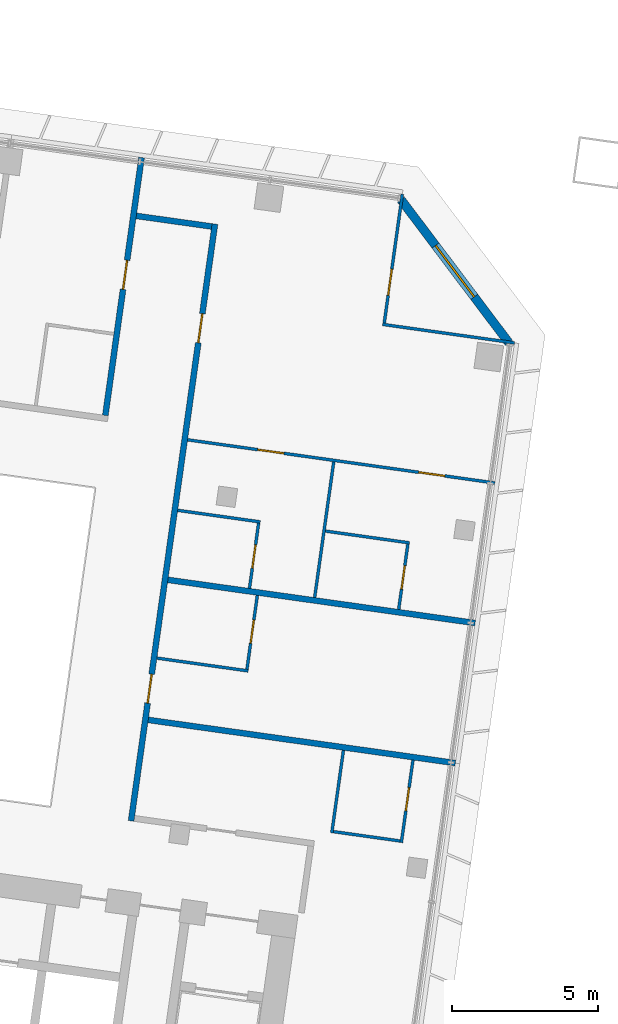
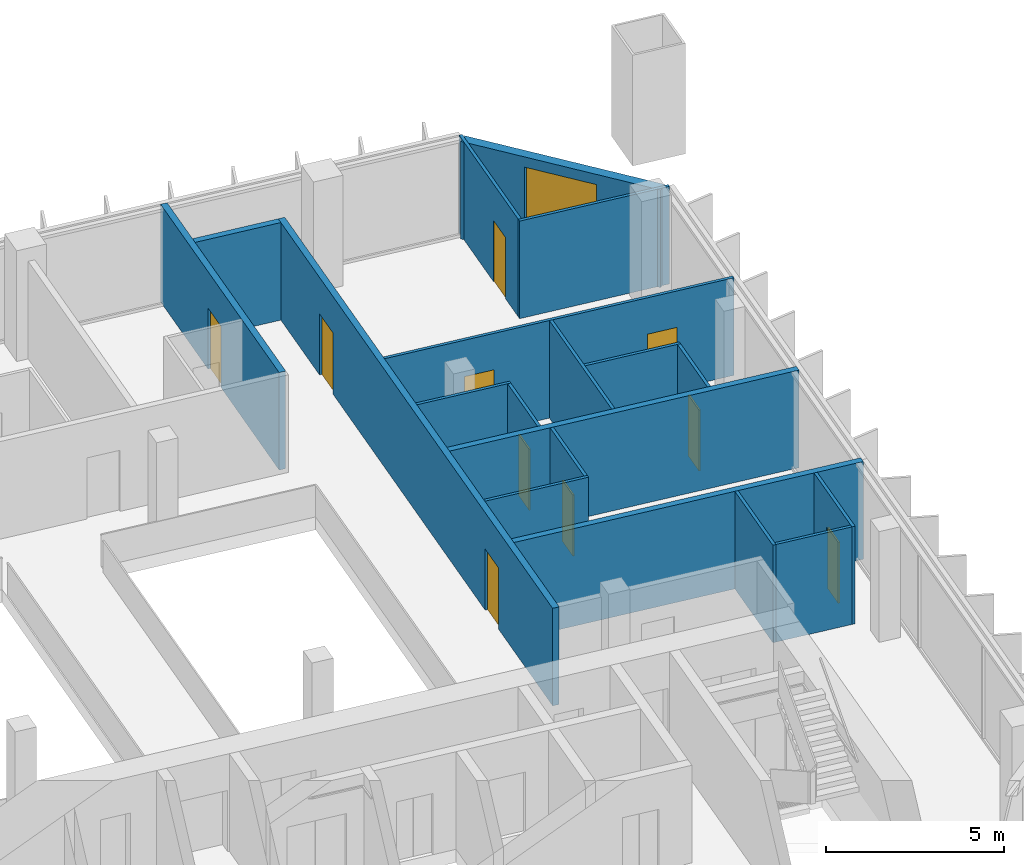
# One storey, part 19 of 26: 19 walls, 10 doors, 1 window, 11 openings.
"""IFC4 building model written with IfcOpenShell, lengths in metres."""

import ifcopenshell
import ifcopenshell.guid

model = None  # the IFC model being written
_history = None  # IfcOwnerHistory: only IFC2X3 demands one
_inside = {}  # id of a spatial element -> (the spatial element, [elements in it])
_under = {}  # id of a project, library or spatial element -> (it, [spatial elements below it])
_declared = {}  # id of a project -> (the project, [libraries it declares])
_typed = {}  # id of a type object -> (the type object, [elements of that type])
_made_of = {}  # id of a material, layer set ... -> (it, [elements and type objects made of it])


def new_model(schema):
    """Start an empty IFC model of exactly this schema.

    Asked for "IFC4X3", IfcOpenShell would pick the latest addendum, in which some entities
    have other attributes; the version numbers below select the first issue.
    IFC2X3 requires an IfcOwnerHistory on every rooted entity: one is made here for all.
    """
    global model, _history
    if schema == "IFC4X3":
        model = ifcopenshell.file(schema_version=(4, 3, 0, 0))
    else:
        model = ifcopenshell.file(schema=schema)
    _inside.clear()
    _under.clear()
    _declared.clear()
    _typed.clear()
    _made_of.clear()
    _history = None
    if model.schema == "IFC2X3":
        org = make("IfcOrganization", Name="unknown")
        user = make(
            "IfcPersonAndOrganization",
            ThePerson=make("IfcPerson", FamilyName="unknown"),
            TheOrganization=org,
        )
        app = make(
            "IfcApplication",
            ApplicationDeveloper=org,
            Version="unknown",
            ApplicationFullName="unknown",
            ApplicationIdentifier="unknown",
        )
        _history = make(
            "IfcOwnerHistory",
            OwningUser=user,
            OwningApplication=app,
            ChangeAction="ADDED",
            CreationDate=0,
        )
    return model


def make(cls, **values):
    """One entity of the class cls with the attributes given. An attribute that is None is left unset."""
    return model.create_entity(
        cls, **{name: value for name, value in values.items() if value is not None}
    )


def rooted(cls, **values):
    """An entity with a GlobalId (a new one), such as an element, a storey or a relation."""
    return make(cls, GlobalId=ifcopenshell.guid.new(), OwnerHistory=_history, **values)


def si_unit(unit_type, name, prefix=None):
    """IfcSIUnit, for example si_unit("LENGTHUNIT", "METRE", prefix="MILLI")."""
    return make("IfcSIUnit", UnitType=unit_type, Prefix=prefix, Name=name)


def assignment(units):
    """IfcUnitAssignment: the units of a project."""
    return None if units is None else make("IfcUnitAssignment", Units=units)


def point(xyz):
    """IfcCartesianPoint."""
    return None if xyz is None else make("IfcCartesianPoint", Coordinates=xyz)


def direction(xyz):
    """IfcDirection."""
    return None if xyz is None else make("IfcDirection", DirectionRatios=xyz)


def frame(location, z_axis=None, x_axis=None):
    """IfcAxis2Placement3D, a coordinate frame: its origin and axes. An axis left out is left unset."""
    return make(
        "IfcAxis2Placement3D",
        Location=point(location),
        Axis=direction(z_axis),
        RefDirection=direction(x_axis),
    )


def frame_2d(location, x_axis=None):
    """IfcAxis2Placement2D, a coordinate frame in the plane: its origin and x axis."""
    return make(
        "IfcAxis2Placement2D", Location=point(location), RefDirection=direction(x_axis)
    )


def origin():
    """The frame at (0, 0, 0) with its axes left unset."""
    return frame((0.0, 0.0, 0.0))


def place(relative_to, where):
    """IfcLocalPlacement: puts the frame where relative to a parent placement (None: the world)."""
    return make(
        "IfcLocalPlacement", PlacementRelTo=relative_to, RelativePlacement=where
    )


def context(
    kind, dimensions, precision=None, world=None, true_north=None, identifier=None
):
    """IfcGeometricRepresentationContext, for example the 3D "Model" context."""
    return make(
        "IfcGeometricRepresentationContext",
        ContextIdentifier=identifier,
        ContextType=kind,
        CoordinateSpaceDimension=dimensions,
        Precision=precision,
        WorldCoordinateSystem=world,
        TrueNorth=true_north,
    )


def subcontext(parent, identifier, kind, view, scale=None):
    """IfcGeometricRepresentationSubContext, for example "Body" below "Model"."""
    return make(
        "IfcGeometricRepresentationSubContext",
        ContextIdentifier=identifier,
        ContextType=kind,
        ParentContext=parent,
        TargetScale=scale,
        TargetView=view,
    )


def project(units=None, contexts=None):
    """IfcProject with its units and contexts."""
    return rooted(
        "IfcProject",
        Name="project",
        RepresentationContexts=contexts,
        UnitsInContext=assignment(units),
    )


def spatial(cls, under=None, at=None, **own):
    """A site, building, storey or space (cls), placed at a placement, below another one or the project."""
    s = rooted(cls, ObjectPlacement=at, **own)
    if under is not None:
        _under.setdefault(under.id(), (under, []))[1].append(s)
    return s


def profile(cls, at=None, kind="AREA", **sizes):
    """A parametric profile (cls). Its sizes go by their IFC names, for example OverallWidth=200.0."""
    return make(cls, ProfileType=kind, Position=at, **sizes)


def rectangle(**sizes):
    """IfcRectangleProfileDef."""
    return profile("IfcRectangleProfileDef", **sizes)


def extrude(swept, where, along, depth):
    """IfcExtrudedAreaSolid: the profile swept, set in the frame where, extruded along a direction by depth."""
    return make(
        "IfcExtrudedAreaSolid",
        SweptArea=swept,
        Position=where,
        ExtrudedDirection=direction(along),
        Depth=depth,
    )


def shape(context_of_items, identifier, shape_type, items):
    """IfcShapeRepresentation: the items that make up one representation, for example the "Body"."""
    return make(
        "IfcShapeRepresentation",
        ContextOfItems=context_of_items,
        RepresentationIdentifier=identifier,
        RepresentationType=shape_type,
        Items=items,
    )


def material(Name=None, Category=None):
    """IfcMaterial."""
    return make("IfcMaterial", Name=Name, Category=Category)


def layer(
    of_material, thickness, ventilated=None, Name=None, Category=None, Priority=None
):
    """IfcMaterialLayer: one layer of a wall or slab, of a material (None: an air gap)."""
    return make(
        "IfcMaterialLayer",
        Material=of_material,
        LayerThickness=thickness,
        IsVentilated=ventilated,
        Name=Name,
        Category=Category,
        Priority=Priority,
    )


def layer_set(layers, Name=None):
    """IfcMaterialLayerSet."""
    return make("IfcMaterialLayerSet", MaterialLayers=layers, LayerSetName=Name)


def made_of(thing, what):
    """Note that an element or type object is made of a material, layer set ...; save() writes the relation."""
    if what is not None:
        _made_of.setdefault(what.id(), (what, []))[1].append(thing)
    return thing


def type_object(cls, material=None, **own):
    """A type object (cls), such as IfcWallType, which elements share."""
    return made_of(rooted(cls, **own), material)


def element(
    cls,
    number,
    at=None,
    inside=None,
    cuts=None,
    type_object=None,
    material=None,
    context=None,
    identifier="Body",
    shape_type=None,
    held_by="IfcProductDefinitionShape",
    body=None,
    shapes=None,
    **own,
):
    """One element of the class cls, such as IfcWall. Its Tag is "e" and its number.

    at: its placement. inside: the storey or other place that contains it. cuts: it is an
    opening in that element (IfcRelVoidsElement). A single representation is given by context,
    identifier, shape_type and body (its items); several are given by shapes. held_by: the class
    of the entity that holds the representations. save() writes the other relations.
    """
    e = rooted(cls, Tag="e%d" % number, ObjectPlacement=at, **own)
    if body is not None:
        shapes = [shape(context, identifier, shape_type, body)]
    if shapes is not None:
        e.Representation = make(held_by, Representations=shapes)
    if inside is not None:
        _inside.setdefault(inside.id(), (inside, []))[1].append(e)
    if cuts is not None:
        rooted(
            "IfcRelVoidsElement", RelatingBuildingElement=cuts, RelatedOpeningElement=e
        )
    if type_object is not None:
        _typed.setdefault(type_object.id(), (type_object, []))[1].append(e)
    return made_of(e, material)


def fill(opening, filler):
    """IfcRelFillsElement: the door or window that sits in an opening."""
    return rooted(
        "IfcRelFillsElement",
        RelatingOpeningElement=opening,
        RelatedBuildingElement=filler,
    )


def aggregate(whole, parts):
    """IfcRelAggregates: a whole, such as a stair, and the parts it consists of."""
    return rooted("IfcRelAggregates", RelatingObject=whole, RelatedObjects=parts)


def save(model, path):
    """Write the relations noted so far, then the file.

    IfcRelAggregates (storeys below a building ...), IfcRelContainedInSpatialStructure (elements
    in a storey), IfcRelDefinesByType, IfcRelAssociatesMaterial and IfcRelDeclares: one each for
    every whole, place, type object, material and project.
    """
    for whole, parts in _under.values():
        aggregate(whole, parts)
    for where, things in _inside.values():
        rooted(
            "IfcRelContainedInSpatialStructure",
            RelatedElements=things,
            RelatingStructure=where,
        )
    for kind, things in _typed.values():
        rooted("IfcRelDefinesByType", RelatedObjects=things, RelatingType=kind)
    for what, things in _made_of.values():
        rooted("IfcRelAssociatesMaterial", RelatedObjects=things, RelatingMaterial=what)
    for by, libraries in _declared.values():
        rooted("IfcRelDeclares", RelatingContext=by, RelatedDefinitions=libraries)
    model.write(path)


model = new_model("IFC4")

# Units and contexts
model_context = context("Model", 3, precision=1e-05, world=origin(), true_north=direction((0.0, 1.0)))
body_context = subcontext(model_context, "Body", "Model", "MODEL_VIEW")
ifc_project = project(units=[si_unit("LENGTHUNIT", "METRE"), si_unit("AREAUNIT", "SQUARE_METRE"), si_unit("VOLUMEUNIT", "CUBIC_METRE"), si_unit("PLANEANGLEUNIT", "RADIAN"), si_unit("MASSUNIT", "GRAM", prefix="KILO")], contexts=[model_context])

# Site, building, storey
site_placement = place(None, origin())
site = spatial("IfcSite", under=ifc_project, at=site_placement, CompositionType="ELEMENT")
building_placement = place(site_placement, origin())
building = spatial("IfcBuilding", under=site, at=building_placement, Name="Mirante Cascada Hotel Towers", CompositionType="ELEMENT")
storey_placement = place(building_placement, frame((0.0, 0.0, 98.7)))
storey = spatial("IfcBuildingStorey", under=building, at=storey_placement, Name="L21", CompositionType="ELEMENT", Elevation=98.7)

# Walls
ifc_material_1 = material(Name="Fire-rated plasterboard on metal studs")
ifc_layer_1 = layer(ifc_material_1, 0.2)
ifc_layer_set_1 = layer_set([ifc_layer_1], Name="Compartment wall 200 EI 120")
wall_type_1 = type_object("IfcWallType", Name="Compartment wall 200 EI 120", PredefinedType="PARTITIONING", material=ifc_layer_set_1)
wall_1_placement = place(storey_placement, frame((-30.0, -2.0, 0.0), z_axis=(0.0, 0.0, 1.0), x_axis=(-0.9902684, 0.1391704, 0.0)))
element("IfcWall", 1, at=wall_1_placement, inside=storey, type_object=wall_type_1, Name="Wall 1-L21-04", PredefinedType="PARTITIONING", context=body_context, shape_type="SweptSolid", body=[
    extrude(rectangle(XDim=10.6, YDim=0.2, at=frame_2d((5.3, 0.0))), origin(), (0.0, 0.0, 1.0), 3.35),
])
wall_2_placement = place(storey_placement, frame((-29.3273, 2.7863, 0.0), z_axis=(0.0, 0.0, 1.0), x_axis=(-0.9902686, 0.1391691, 0.0)))
element("IfcWall", 2, at=wall_2_placement, inside=storey, type_object=wall_type_1, Name="Wall 1-L21-06", PredefinedType="PARTITIONING", context=body_context, shape_type="SweptSolid", body=[
    extrude(rectangle(XDim=10.6001, YDim=0.2, at=frame_2d((5.3, 0.0))), origin(), (0.0, 0.0, 1.0), 3.35),
])
wall_3_placement = place(storey_placement, frame((-40.9036, 16.6995, 0.0), z_axis=(0.0, 0.0, 1.0), x_axis=(0.9902647, -0.1391971, 0.0)))
element("IfcWall", 3, at=wall_3_placement, inside=storey, type_object=wall_type_1, Name="Wall 1-L21-19", PredefinedType="PARTITIONING", context=body_context, shape_type="SweptSolid", body=[
    extrude(rectangle(XDim=2.5999, YDim=0.2, at=frame_2d((1.3, 0.0))), origin(), (0.0, 0.0, 1.0), 3.35),
])

# Wall, openings, doors
wall_4_placement = place(storey_placement, frame((-41.083, -3.9768, 0.0), z_axis=(0.0, 0.0, 1.0), x_axis=(0.1391749, 0.9902678, 0.0)))
wall_4 = element("IfcWall", 4, at=wall_4_placement, inside=storey, type_object=wall_type_1, Name="Wall 1-L21-28", PredefinedType="PARTITIONING", context=body_context, shape_type="SweptSolid", body=[
    extrude(rectangle(XDim=20.6, YDim=0.2, at=frame_2d((10.3, 0.0))), origin(), (0.0, 0.0, 1.0), 3.35),
])
opening_1_placement = place(wall_4_placement, frame((4.0667, 0.0, 0.0)))
opening_1 = element("IfcOpeningElement", 5, at=opening_1_placement, cuts=wall_4, Name="Opening D1-L21-26", PredefinedType="OPENING", context=body_context, shape_type="SweptSolid", body=[
    extrude(rectangle(XDim=1.0, YDim=2.1, at=frame_2d((0.5, 1.05))), frame((0.0, 0.1, 0.0), z_axis=(0.0, -1.0, 0.0), x_axis=(1.0, 0.0, 0.0)), (0.0, 0.0, 1.0), 0.2),
])
opening_2_placement = place(wall_4_placement, frame((16.5, 0.0, 0.0)))
opening_2 = element("IfcOpeningElement", 6, at=opening_2_placement, cuts=wall_4, Name="Opening D1-L21-27", PredefinedType="OPENING", context=body_context, shape_type="SweptSolid", body=[
    extrude(rectangle(XDim=1.0, YDim=2.1, at=frame_2d((0.5, 1.05))), frame((0.0, 0.1, 0.0), z_axis=(0.0, -1.0, 0.0), x_axis=(1.0, 0.0, 0.0)), (0.0, 0.0, 1.0), 0.2),
])
ifc_material_2 = material(Name="Fire-rated timber door leaf", Category="wood")
door_type_1 = type_object("IfcDoorType", Name="Entrance door DG1 1000x2100 EI 60", OperationType="SINGLE_SWING_LEFT", PredefinedType="DOOR", material=ifc_material_2)
door_1_placement = place(opening_1_placement, frame((1.0, 0.0, 0.0), z_axis=(0.0, 0.0, 1.0), x_axis=(-1.0, 0.0, 0.0)))
door_1 = element("IfcDoor", 7, at=door_1_placement, inside=storey, type_object=door_type_1, Name="Door D1-L21-26", OperationType="SINGLE_SWING_RIGHT", OverallHeight=2.1, OverallWidth=1.0, PredefinedType="DOOR", context=body_context, shape_type="SweptSolid", body=[
    extrude(rectangle(XDim=1.0, YDim=2.1, at=frame_2d((0.5, 1.05))), frame((0.0, 0.025, 0.0), z_axis=(0.0, -1.0, 0.0), x_axis=(1.0, 0.0, 0.0)), (0.0, 0.0, 1.0), 0.05),
])
fill(opening_1, door_1)
door_2_placement = place(opening_2_placement, frame((1.0, 0.0, 0.0), z_axis=(0.0, 0.0, 1.0), x_axis=(-1.0, 0.0, 0.0)))
door_2 = element("IfcDoor", 8, at=door_2_placement, inside=storey, type_object=door_type_1, Name="Door D1-L21-27", OperationType="SINGLE_SWING_RIGHT", OverallHeight=2.1, OverallWidth=1.0, PredefinedType="DOOR", context=body_context, shape_type="SweptSolid", body=[
    extrude(rectangle(XDim=1.0, YDim=2.1, at=frame_2d((0.5, 1.05))), frame((0.0, 0.025, 0.0), z_axis=(0.0, -1.0, 0.0), x_axis=(1.0, 0.0, 0.0)), (0.0, 0.0, 1.0), 0.05),
])
fill(opening_2, door_2)

# Wall, opening, door
wall_5_placement = place(storey_placement, frame((-40.7243, 18.6939, 0.0), z_axis=(0.0, 0.0, 1.0), x_axis=(-0.1391794, -0.9902672, 0.0)))
wall_5 = element("IfcWall", 9, at=wall_5_placement, inside=storey, type_object=wall_type_1, Name="Wall 1-L21-29", PredefinedType="PARTITIONING", context=body_context, shape_type="SweptSolid", body=[
    extrude(rectangle(XDim=8.9, YDim=0.2, at=frame_2d((4.45, 0.0))), origin(), (0.0, 0.0, 1.0), 3.35),
])
opening_3_placement = place(wall_5_placement, frame((3.55, 0.0, 0.0)))
opening_3 = element("IfcOpeningElement", 10, at=opening_3_placement, cuts=wall_5, Name="Opening D1-L21-28", PredefinedType="OPENING", context=body_context, shape_type="SweptSolid", body=[
    extrude(rectangle(XDim=1.0, YDim=2.1, at=frame_2d((0.5, 1.05))), frame((0.0, 0.1, 0.0), z_axis=(0.0, -1.0, 0.0), x_axis=(1.0, 0.0, 0.0)), (0.0, 0.0, 1.0), 0.2),
])
door_3_placement = place(opening_3_placement, frame((1.0, 0.0, 0.0), z_axis=(0.0, 0.0, 1.0), x_axis=(-1.0, 0.0, 0.0)))
door_3 = element("IfcDoor", 11, at=door_3_placement, inside=storey, type_object=door_type_1, Name="Door D1-L21-28", OperationType="SINGLE_SWING_RIGHT", OverallHeight=2.1, OverallWidth=1.0, PredefinedType="DOOR", context=body_context, shape_type="SweptSolid", body=[
    extrude(rectangle(XDim=1.0, YDim=2.1, at=frame_2d((0.5, 1.05))), frame((0.0, 0.025, 0.0), z_axis=(0.0, -1.0, 0.0), x_axis=(1.0, 0.0, 0.0)), (0.0, 0.0, 1.0), 0.05),
])
fill(opening_3, door_3)

# Walls
ifc_material_3 = material(Name="Plasterboard on metal studs")
ifc_layer_2 = layer(ifc_material_3, 0.1)
ifc_layer_set_2 = layer_set([ifc_layer_2], Name="Partition 100")
wall_type_2 = type_object("IfcWallType", Name="Partition 100", PredefinedType="PARTITIONING", material=ifc_layer_set_2)
wall_6_placement = place(storey_placement, frame((-34.1666, -4.3429, 0.0), z_axis=(0.0, 0.0, 1.0), x_axis=(0.9902678, -0.1391749, 0.0)))
element("IfcWall", 12, at=wall_6_placement, inside=storey, type_object=wall_type_2, Name="Wall 1-L21-03", PredefinedType="PARTITIONING", context=body_context, shape_type="SweptSolid", body=[
    extrude(rectangle(XDim=2.3, YDim=0.1, at=frame_2d((1.15, 0.0))), origin(), (0.0, 0.0, 1.0), 3.35),
])
wall_7_placement = place(storey_placement, frame((-40.1999, 1.5878, 0.0), z_axis=(0.0, 0.0, 1.0), x_axis=(0.9902676, -0.1391765, 0.0)))
element("IfcWall", 13, at=wall_7_placement, inside=storey, type_object=wall_type_2, Name="Wall 1-L21-05", PredefinedType="PARTITIONING", context=body_context, shape_type="SweptSolid", body=[
    extrude(rectangle(XDim=3.15, YDim=0.1, at=frame_2d((1.575, 0.0))), origin(), (0.0, 0.0, 1.0), 3.35),
])
wall_8_placement = place(storey_placement, frame((-34.4398, 5.9284, 0.0), z_axis=(0.0, 0.0, 1.0), x_axis=(0.9902683, -0.1391714, 0.0)))
element("IfcWall", 14, at=wall_8_placement, inside=storey, type_object=wall_type_2, Name="Wall 1-L21-07", PredefinedType="PARTITIONING", context=body_context, shape_type="SweptSolid", body=[
    extrude(rectangle(XDim=2.9, YDim=0.1, at=frame_2d((1.45, 0.0))), origin(), (0.0, 0.0, 1.0), 3.35),
])
wall_9_placement = place(storey_placement, frame((-36.6679, 6.2415, 0.0), z_axis=(0.0, 0.0, 1.0), x_axis=(-0.9902704, 0.1391564, 0.0)))
element("IfcWall", 15, at=wall_9_placement, inside=storey, type_object=wall_type_2, Name="Wall 1-L21-08", PredefinedType="PARTITIONING", context=body_context, shape_type="SweptSolid", body=[
    extrude(rectangle(XDim=2.85, YDim=0.1, at=frame_2d((1.425, 0.0))), origin(), (0.0, 0.0, 1.0), 3.35),
])

# Wall, openings, doors
wall_10_placement = place(storey_placement, frame((-39.1515, 9.0479, 0.0), z_axis=(0.0, 0.0, 1.0), x_axis=(0.9902671, -0.1391797, 0.0)))
wall_10 = element("IfcWall", 16, at=wall_10_placement, inside=storey, type_object=wall_type_2, Name="Wall 1-L21-09", PredefinedType="PARTITIONING", context=body_context, shape_type="SweptSolid", body=[
    extrude(rectangle(XDim=10.6, YDim=0.1, at=frame_2d((5.3, 0.0))), origin(), (0.0, 0.0, 1.0), 3.35),
])
opening_4_placement = place(wall_10_placement, frame((7.975, 0.0, 0.0)))
opening_4 = element("IfcOpeningElement", 17, at=opening_4_placement, cuts=wall_10, Name="Opening D1-L21-03", PredefinedType="OPENING", context=body_context, shape_type="SweptSolid", body=[
    extrude(rectangle(XDim=0.9, YDim=2.1, at=frame_2d((0.45, 1.05))), frame((0.0, 0.05, 0.0), z_axis=(0.0, -1.0, 0.0), x_axis=(1.0, 0.0, 0.0)), (0.0, 0.0, 1.0), 0.1),
])
opening_5_placement = place(wall_10_placement, frame((2.425, 0.0, 0.0)))
opening_5 = element("IfcOpeningElement", 18, at=opening_5_placement, cuts=wall_10, Name="Opening D1-L21-04", PredefinedType="OPENING", context=body_context, shape_type="SweptSolid", body=[
    extrude(rectangle(XDim=0.9, YDim=2.1, at=frame_2d((0.45, 1.05))), frame((0.0, 0.05, 0.0), z_axis=(0.0, -1.0, 0.0), x_axis=(1.0, 0.0, 0.0)), (0.0, 0.0, 1.0), 0.1),
])
ifc_material_4 = material(Name="Timber door leaf", Category="wood")
door_type_2 = type_object("IfcDoorType", Name="Room door DG3 900x2100", OperationType="SINGLE_SWING_LEFT", PredefinedType="DOOR", material=ifc_material_4)
door_4_placement = place(opening_4_placement, origin())
door_4 = element("IfcDoor", 19, at=door_4_placement, inside=storey, type_object=door_type_2, Name="Door D1-L21-03", OperationType="SINGLE_SWING_LEFT", OverallHeight=2.1, OverallWidth=0.9, PredefinedType="DOOR", context=body_context, shape_type="SweptSolid", body=[
    extrude(rectangle(XDim=0.9, YDim=2.1, at=frame_2d((0.45, 1.05))), frame((0.0, 0.025, 0.0), z_axis=(0.0, -1.0, 0.0), x_axis=(1.0, 0.0, 0.0)), (0.0, 0.0, 1.0), 0.05),
])
fill(opening_4, door_4)
door_5_placement = place(opening_5_placement, origin())
door_5 = element("IfcDoor", 20, at=door_5_placement, inside=storey, type_object=door_type_2, Name="Door D1-L21-04", OperationType="SINGLE_SWING_LEFT", OverallHeight=2.1, OverallWidth=0.9, PredefinedType="DOOR", context=body_context, shape_type="SweptSolid", body=[
    extrude(rectangle(XDim=0.9, YDim=2.1, at=frame_2d((0.45, 1.05))), frame((0.0, 0.025, 0.0), z_axis=(0.0, -1.0, 0.0), x_axis=(1.0, 0.0, 0.0)), (0.0, 0.0, 1.0), 0.05),
])
fill(opening_5, door_5)

# Wall
wall_11_placement = place(storey_placement, frame((-27.982, 12.3589, 0.0), z_axis=(0.0, 0.0, 1.0), x_axis=(-0.9902691, 0.1391656, 0.0)))
element("IfcWall", 21, at=wall_11_placement, inside=storey, type_object=wall_type_2, Name="Wall 1-L21-18", PredefinedType="PARTITIONING", context=body_context, shape_type="SweptSolid", body=[
    extrude(rectangle(XDim=4.55, YDim=0.1, at=frame_2d((2.275, 0.0))), origin(), (0.0, 0.0, 1.0), 3.35),
])

# Wall, opening, door
wall_12_placement = place(storey_placement, frame((-31.8464, -4.7195, 0.0), z_axis=(0.0, 0.0, 1.0), x_axis=(0.1391564, 0.9902704, 0.0)))
wall_12 = element("IfcWall", 22, at=wall_12_placement, inside=storey, type_object=wall_type_2, Name="Wall 1-L21-20", PredefinedType="PARTITIONING", context=body_context, shape_type="SweptSolid", body=[
    extrude(rectangle(XDim=2.85, YDim=0.1, at=frame_2d((1.425, 0.0))), origin(), (0.0, 0.0, 1.0), 3.35),
])
opening_6_placement = place(wall_12_placement, frame((1.1, 0.0, 0.0)))
opening_6 = element("IfcOpeningElement", 23, at=opening_6_placement, cuts=wall_12, Name="Opening D1-L21-21", PredefinedType="OPENING", context=body_context, shape_type="SweptSolid", body=[
    extrude(rectangle(XDim=0.8, YDim=2.1, at=frame_2d((0.4, 1.05))), frame((0.0, 0.05, 0.0), z_axis=(0.0, -1.0, 0.0), x_axis=(1.0, 0.0, 0.0)), (0.0, 0.0, 1.0), 0.1),
])
ifc_material_5 = material(Name="Timber door leaf", Category="wood")
door_type_3 = type_object("IfcDoorType", Name="Bathroom door DG4 800x2100", OperationType="SINGLE_SWING_LEFT", PredefinedType="DOOR", material=ifc_material_5)
door_6_placement = place(opening_6_placement, origin())
door_6 = element("IfcDoor", 24, at=door_6_placement, inside=storey, type_object=door_type_3, Name="Door D1-L21-21", OperationType="SINGLE_SWING_LEFT", OverallHeight=2.1, OverallWidth=0.8, PredefinedType="DOOR", context=body_context, shape_type="SweptSolid", body=[
    extrude(rectangle(XDim=0.8, YDim=2.1, at=frame_2d((0.4, 1.05))), frame((0.0, 0.025, 0.0), z_axis=(0.0, -1.0, 0.0), x_axis=(1.0, 0.0, 0.0)), (0.0, 0.0, 1.0), 0.05),
])
fill(opening_6, door_6)

wall_13_placement = place(storey_placement, frame((-31.6245, 5.4822, 0.0), z_axis=(0.0, 0.0, 1.0), x_axis=(-0.1391561, -0.9902705, 0.0)))
wall_13 = element("IfcWall", 25, at=wall_13_placement, inside=storey, type_object=wall_type_2, Name="Wall 1-L21-21", PredefinedType="PARTITIONING", context=body_context, shape_type="SweptSolid", body=[
    extrude(rectangle(XDim=2.25, YDim=0.1, at=frame_2d((1.125, 0.0))), origin(), (0.0, 0.0, 1.0), 3.35),
])
opening_7_placement = place(wall_13_placement, frame((0.75, 0.0, 0.0)))
opening_7 = element("IfcOpeningElement", 26, at=opening_7_placement, cuts=wall_13, Name="Opening D1-L21-22", PredefinedType="OPENING", context=body_context, shape_type="SweptSolid", body=[
    extrude(rectangle(XDim=0.8, YDim=2.1, at=frame_2d((0.4, 1.05))), frame((0.0, 0.05, 0.0), z_axis=(0.0, -1.0, 0.0), x_axis=(1.0, 0.0, 0.0)), (0.0, 0.0, 1.0), 0.1),
])
door_7_placement = place(opening_7_placement, frame((0.8, 0.0, 0.0), z_axis=(0.0, 0.0, 1.0), x_axis=(-1.0, 0.0, 0.0)))
door_7 = element("IfcDoor", 27, at=door_7_placement, inside=storey, type_object=door_type_3, Name="Door D1-L21-22", OperationType="SINGLE_SWING_RIGHT", OverallHeight=2.1, OverallWidth=0.8, PredefinedType="DOOR", context=body_context, shape_type="SweptSolid", body=[
    extrude(rectangle(XDim=0.8, YDim=2.1, at=frame_2d((0.4, 1.05))), frame((0.0, 0.025, 0.0), z_axis=(0.0, -1.0, 0.0), x_axis=(1.0, 0.0, 0.0)), (0.0, 0.0, 1.0), 0.05),
])
fill(opening_7, door_7)

# Wall
wall_14_placement = place(storey_placement, frame((-34.2231, -4.3855, 0.0), z_axis=(0.0, 0.0, 1.0), x_axis=(0.1391909, 0.9902656, 0.0)))
element("IfcWall", 28, at=wall_14_placement, inside=storey, type_object=wall_type_2, Name="Wall 1-L21-22", PredefinedType="PARTITIONING", context=body_context, shape_type="SweptSolid", body=[
    extrude(rectangle(XDim=2.85, YDim=0.1, at=frame_2d((1.425, 0.0))), origin(), (0.0, 0.0, 1.0), 3.35),
])

# Wall, opening, door
wall_15_placement = place(storey_placement, frame((-32.4312, 13.0347, 0.0), z_axis=(0.0, 0.0, 1.0), x_axis=(0.1391684, 0.9902687, 0.0)))
wall_15 = element("IfcWall", 29, at=wall_15_placement, inside=storey, type_object=wall_type_2, Name="Wall 1-L21-24", PredefinedType="PARTITIONING", context=body_context, shape_type="SweptSolid", body=[
    extrude(rectangle(XDim=4.45, YDim=0.1, at=frame_2d((2.225, 0.0))), origin(), (0.0, 0.0, 1.0), 3.35),
])
opening_8_placement = place(wall_15_placement, frame((0.9667, 0.0, 0.0)))
opening_8 = element("IfcOpeningElement", 30, at=opening_8_placement, cuts=wall_15, Name="Opening D1-L21-23", PredefinedType="OPENING", context=body_context, shape_type="SweptSolid", body=[
    extrude(rectangle(XDim=0.9, YDim=2.1, at=frame_2d((0.45, 1.05))), frame((0.0, 0.05, 0.0), z_axis=(0.0, -1.0, 0.0), x_axis=(1.0, 0.0, 0.0)), (0.0, 0.0, 1.0), 0.1),
])
door_8_placement = place(opening_8_placement, origin())
door_8 = element("IfcDoor", 31, at=door_8_placement, inside=storey, type_object=door_type_2, Name="Door D1-L21-23", OperationType="SINGLE_SWING_LEFT", OverallHeight=2.1, OverallWidth=0.9, PredefinedType="DOOR", context=body_context, shape_type="SweptSolid", body=[
    extrude(rectangle(XDim=0.9, YDim=2.1, at=frame_2d((0.45, 1.05))), frame((0.0, 0.025, 0.0), z_axis=(0.0, -1.0, 0.0), x_axis=(1.0, 0.0, 0.0)), (0.0, 0.0, 1.0), 0.05),
])
fill(opening_8, door_8)

# Wall
wall_16_placement = place(storey_placement, frame((-34.1576, 8.2955, 0.0), z_axis=(0.0, 0.0, 1.0), x_axis=(-0.139173, -0.9902681, 0.0)))
element("IfcWall", 32, at=wall_16_placement, inside=storey, type_object=wall_type_2, Name="Wall 1-L21-25", PredefinedType="PARTITIONING", context=body_context, shape_type="SweptSolid", body=[
    extrude(rectangle(XDim=4.6834, YDim=0.1, at=frame_2d((2.3417, 0.0))), origin(), (0.0, 0.0, 1.0), 3.35),
])

# Wall, opening, door
wall_17_placement = place(storey_placement, frame((-37.1232, 1.2059, 0.0), z_axis=(0.0, 0.0, 1.0), x_axis=(0.1391809, 0.990267, 0.0)))
wall_17 = element("IfcWall", 33, at=wall_17_placement, inside=storey, type_object=wall_type_2, Name="Wall 1-L21-26", PredefinedType="PARTITIONING", context=body_context, shape_type="SweptSolid", body=[
    extrude(rectangle(XDim=2.5499, YDim=0.1, at=frame_2d((1.275, 0.0))), origin(), (0.0, 0.0, 1.0), 3.35),
])
opening_9_placement = place(wall_17_placement, frame((0.9, 0.0, 0.0)))
opening_9 = element("IfcOpeningElement", 34, at=opening_9_placement, cuts=wall_17, Name="Opening D1-L21-24", PredefinedType="OPENING", context=body_context, shape_type="SweptSolid", body=[
    extrude(rectangle(XDim=0.8, YDim=2.1, at=frame_2d((0.4, 1.05))), frame((0.0, 0.05, 0.0), z_axis=(0.0, -1.0, 0.0), x_axis=(1.0, 0.0, 0.0)), (0.0, 0.0, 1.0), 0.1),
])
door_9_placement = place(opening_9_placement, frame((0.8, 0.0, 0.0), z_axis=(0.0, 0.0, 1.0), x_axis=(-1.0, 0.0, 0.0)))
door_9 = element("IfcDoor", 35, at=door_9_placement, inside=storey, type_object=door_type_3, Name="Door D1-L21-24", OperationType="SINGLE_SWING_RIGHT", OverallHeight=2.1, OverallWidth=0.8, PredefinedType="DOOR", context=body_context, shape_type="SweptSolid", body=[
    extrude(rectangle(XDim=0.8, YDim=2.1, at=frame_2d((0.4, 1.05))), frame((0.0, 0.025, 0.0), z_axis=(0.0, -1.0, 0.0), x_axis=(1.0, 0.0, 0.0)), (0.0, 0.0, 1.0), 0.05),
])
fill(opening_9, door_9)

wall_18_placement = place(storey_placement, frame((-36.7244, 6.1989, 0.0), z_axis=(0.0, 0.0, 1.0), x_axis=(-0.1391561, -0.9902705, 0.0)))
wall_18 = element("IfcWall", 36, at=wall_18_placement, inside=storey, type_object=wall_type_2, Name="Wall 1-L21-27", PredefinedType="PARTITIONING", context=body_context, shape_type="SweptSolid", body=[
    extrude(rectangle(XDim=2.25, YDim=0.1, at=frame_2d((1.125, 0.0))), origin(), (0.0, 0.0, 1.0), 3.35),
])
opening_10_placement = place(wall_18_placement, frame((0.75, 0.0, 0.0)))
opening_10 = element("IfcOpeningElement", 37, at=opening_10_placement, cuts=wall_18, Name="Opening D1-L21-25", PredefinedType="OPENING", context=body_context, shape_type="SweptSolid", body=[
    extrude(rectangle(XDim=0.8, YDim=2.1, at=frame_2d((0.4, 1.05))), frame((0.0, 0.05, 0.0), z_axis=(0.0, -1.0, 0.0), x_axis=(1.0, 0.0, 0.0)), (0.0, 0.0, 1.0), 0.1),
])
door_10_placement = place(opening_10_placement, frame((0.8, 0.0, 0.0), z_axis=(0.0, 0.0, 1.0), x_axis=(-1.0, 0.0, 0.0)))
door_10 = element("IfcDoor", 38, at=door_10_placement, inside=storey, type_object=door_type_3, Name="Door D1-L21-25", OperationType="SINGLE_SWING_RIGHT", OverallHeight=2.1, OverallWidth=0.8, PredefinedType="DOOR", context=body_context, shape_type="SweptSolid", body=[
    extrude(rectangle(XDim=0.8, YDim=2.1, at=frame_2d((0.4, 1.05))), frame((0.0, 0.025, 0.0), z_axis=(0.0, -1.0, 0.0), x_axis=(1.0, 0.0, 0.0)), (0.0, 0.0, 1.0), 0.05),
])
fill(opening_10, door_10)

# Wall, opening, window
ifc_material_6 = material(Name="Precast concrete C40/50", Category="concrete")
ifc_layer_3 = layer(ifc_material_6, 0.3)
ifc_layer_set_3 = layer_set([ifc_layer_3], Name="Precast concrete C40/50 cladding wall 300")
wall_type_3 = type_object("IfcWallType", Name="Precast concrete C40/50 cladding wall 300", PredefinedType="STANDARD", material=ifc_layer_set_3)
wall_19_placement = place(storey_placement, frame((-31.857, 17.252, 0.0), z_axis=(0.0, 0.0, 1.0), x_axis=(0.6018141, -0.7986362, 0.0)))
wall_19 = element("IfcWall", 39, at=wall_19_placement, inside=storey, type_object=wall_type_3, Name="Corner cladding wall T1 L21 front inner", PredefinedType="STANDARD", context=body_context, shape_type="SweptSolid", body=[
    extrude(rectangle(XDim=6.1157, YDim=0.3, at=frame_2d((3.0578, 0.0))), origin(), (0.0, 0.0, 1.0), 3.35),
])
opening_11_placement = place(wall_19_placement, frame((1.9578, 0.0, 0.6)))
opening_11 = element("IfcOpeningElement", 40, at=opening_11_placement, cuts=wall_19, Name="Opening W1-21-03", PredefinedType="OPENING", context=body_context, shape_type="SweptSolid", body=[
    extrude(rectangle(XDim=2.2, YDim=2.4, at=frame_2d((1.1, 1.2))), frame((0.0, 0.15, 0.0), z_axis=(0.0, -1.0, 0.0), x_axis=(1.0, 0.0, 0.0)), (0.0, 0.0, 1.0), 0.3),
])
ifc_material_7 = material(Name="Aluminium frame with clear double glazing", Category="aluminium")
window_type = type_object("IfcWindowType", Name="Corner suite window 2200x2400", PartitioningType="DOUBLE_PANEL_VERTICAL", PredefinedType="WINDOW", material=ifc_material_7)
window_placement = place(opening_11_placement, origin())
window = element("IfcWindow", 41, at=window_placement, inside=storey, type_object=window_type, Name="Window W1-21-03", OverallHeight=2.4, OverallWidth=2.2, PartitioningType="SINGLE_PANEL", PredefinedType="WINDOW", context=body_context, shape_type="SweptSolid", body=[
    extrude(rectangle(XDim=2.2, YDim=2.4, at=frame_2d((1.1, 1.2))), frame((0.0, 0.03, 0.0), z_axis=(0.0, -1.0, 0.0), x_axis=(1.0, 0.0, 0.0)), (0.0, 0.0, 1.0), 0.06),
])
fill(opening_11, window)

save(model, "model.ifc")
